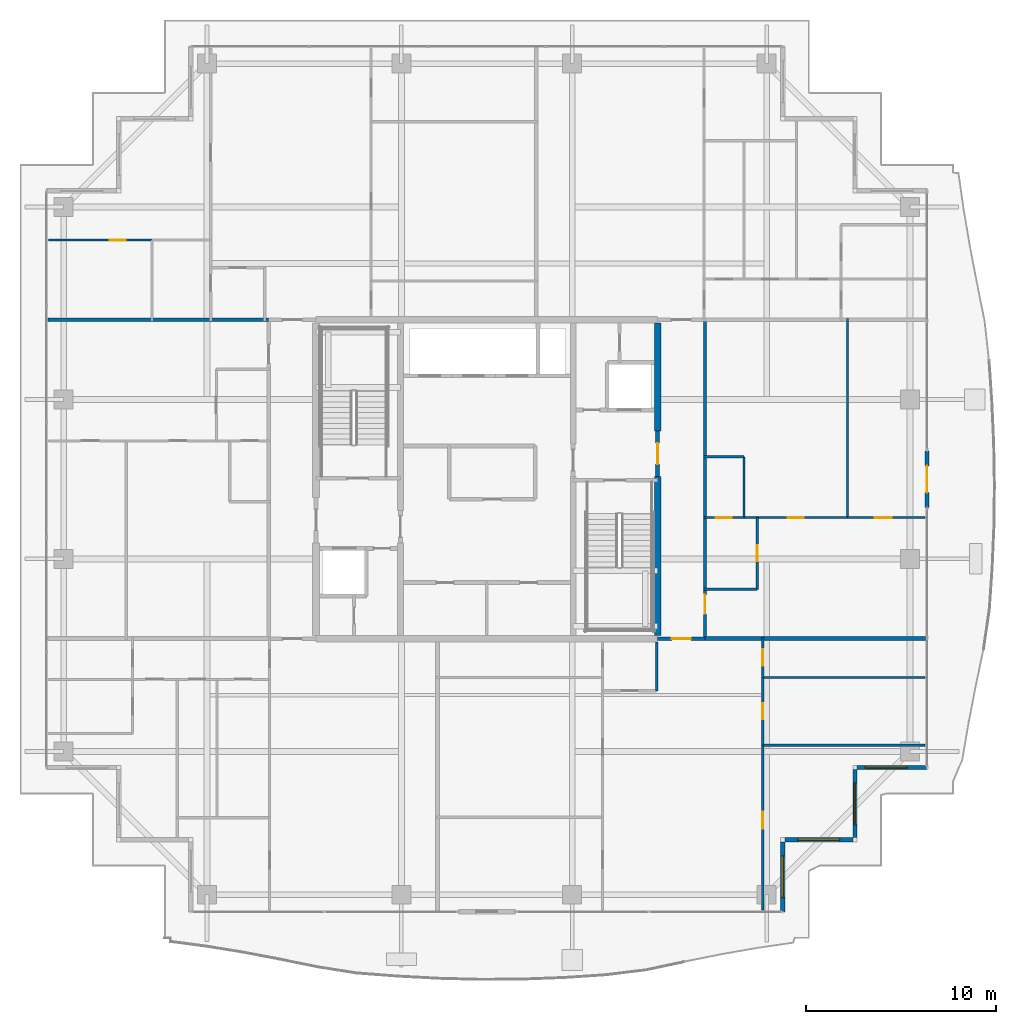
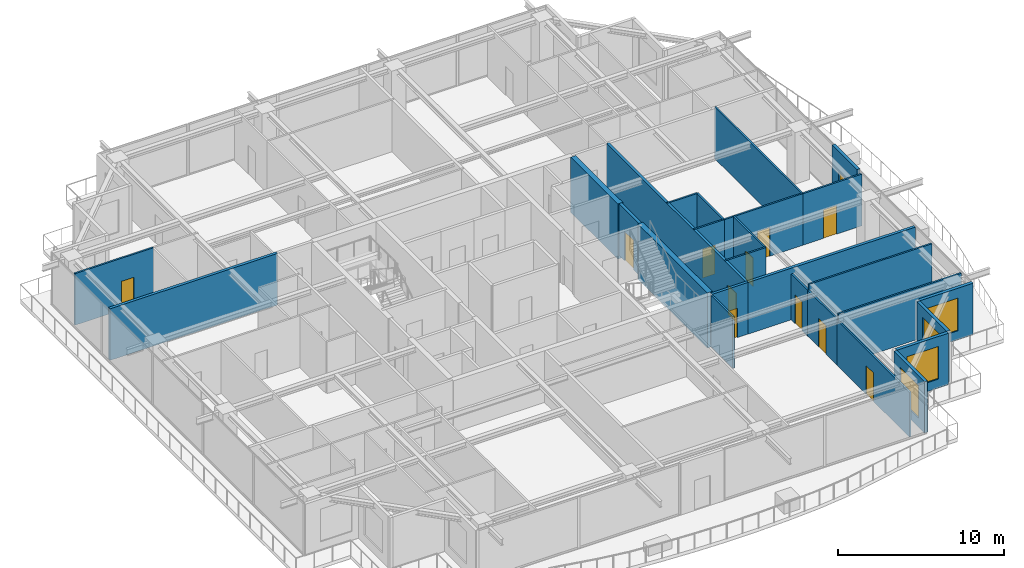
# One storey, part 33 of 42: 27 walls, 12 doors, 4 windows, 16 openings.
"""IFC4 building model written with IfcOpenShell, lengths in metres."""

from ifc_helpers import new_model, si_unit, direction, frame, frame_2d, origin, place, context, subcontext, project, spatial, rectangle, extrude, source, transform, mapped, material, layer, layer_set, type_object, element, fill, save


model = new_model("IFC4")

# Units and contexts
model_context = context("Model", 3, precision=1e-05, world=origin(), true_north=direction((0.0, 1.0)))
body_context = subcontext(model_context, "Body", "Model", "MODEL_VIEW")
ifc_project = project(units=[si_unit("LENGTHUNIT", "METRE"), si_unit("AREAUNIT", "SQUARE_METRE"), si_unit("VOLUMEUNIT", "CUBIC_METRE"), si_unit("PLANEANGLEUNIT", "RADIAN"), si_unit("MASSUNIT", "GRAM", prefix="KILO")], contexts=[model_context])

# Site, building, storey
site_placement = place(None, origin())
site = spatial("IfcSite", under=ifc_project, at=site_placement, CompositionType="ELEMENT")
building_placement = place(site_placement, origin())
building = spatial("IfcBuilding", under=site, at=building_placement, Name="Serunith Strait Residences", CompositionType="ELEMENT")
storey_placement = place(building_placement, frame((0.0, 0.0, 297.5)))
storey = spatial("IfcBuildingStorey", under=building, at=storey_placement, Name="L74", CompositionType="ELEMENT", Elevation=297.5)

# Wall, opening, window
ifc_material_1 = material(Name="Pale-Champagne Aluminium Insulated Panel", Category="aluminium")
ifc_layer_1 = layer(ifc_material_1, 0.219970703125, Name="Pale-Champagne Aluminium Insulated Panel")
ifc_layer_set_1 = layer_set([ifc_layer_1], Name="Pale-Champagne Aluminium Insulated Panel")
wall_type_1 = type_object("IfcWallType", Name="EW-ALUM-220", PredefinedType="ELEMENTEDWALL", material=ifc_layer_set_1)
wall_1_placement = place(storey_placement, frame((48.0, 2.39990234375, 0.0), z_axis=(0.0, 0.0, 1.0), x_axis=(0.0, 1.0, 0.0)))
wall_1 = element("IfcWall", 1, at=wall_1_placement, inside=storey, type_object=wall_type_1, Name="L74 Girih Serrated Corner Wall 02", PredefinedType="ELEMENTEDWALL", context=body_context, shape_type="SweptSolid", body=[
    extrude(rectangle(XDim=3.690185546875, YDim=0.219970703125, at=frame_2d((1.84521484375, 0.0))), origin(), (0.0, 0.0, 1.0), 3.77490234375),
])
opening_1_placement = place(wall_1_placement, frame((0.7451171875, 0.0, 0.64990234375)))
opening_1 = element("IfcOpeningElement", 2, at=opening_1_placement, cuts=wall_1, Name="Opening W-06", PredefinedType="OPENING", context=body_context, shape_type="SweptSolid", body=[
    extrude(rectangle(XDim=2.199951171875, YDim=2.39990234375, at=frame_2d((1.10009765625, 1.199951171875))), frame((0.0, 0.1201171875, 0.0), z_axis=(0.0, -1.0, 0.0), x_axis=(1.0, 0.0, 0.0)), (0.0, 0.0, 1.0), 0.239990234375),
])
ifc_material_2 = material(Name="Crown Penthouse Low-E Operable Window Glass", Category="glass")
window_type = type_object("IfcWindowType", Name="WIN-C6", PartitioningType="TRIPLE_PANEL_VERTICAL", PredefinedType="WINDOW", material=ifc_material_2)
shared_shape_1 = source(origin(), body_context, "Body", "SweptSolid", [
    extrude(rectangle(XDim=2.199951171875, YDim=2.39990234375, at=frame_2d((1.10009765625, 1.199951171875))), frame((0.0, 0.030029296875, 0.0), z_axis=(0.0, -1.0, 0.0), x_axis=(1.0, 0.0, 0.0)), (0.0, 0.0, 1.0), 0.06005859375),
])
window_1_placement = place(opening_1_placement, origin())
window_1 = element("IfcWindow", 3, at=window_1_placement, inside=storey, type_object=window_type, Name="L74 Corner Operable Fritted Window 02", OverallHeight=2.39990234375, OverallWidth=2.199951171875, PartitioningType="SINGLE_PANEL", PredefinedType="WINDOW", context=body_context, shape_type="MappedRepresentation", body=[
    mapped(shared_shape_1, transform((0.0, 0.0, 0.0), scale=1.0)),
])
fill(opening_1, window_1)

wall_2_placement = place(storey_placement, frame((48.110107421875, 6.199951171875, 0.0), z_axis=(0.0, 0.0, 1.0), x_axis=(1.0, 0.0, 0.0)))
wall_2 = element("IfcWall", 4, at=wall_2_placement, inside=storey, type_object=wall_type_1, Name="L74 Girih Serrated Corner Wall 03", PredefinedType="ELEMENTEDWALL", context=body_context, shape_type="SweptSolid", body=[
    extrude(rectangle(XDim=3.579833984375, YDim=0.219970703125, at=frame_2d((1.7900390625, 0.0))), origin(), (0.0, 0.0, 1.0), 3.77490234375),
])
opening_2_placement = place(wall_2_placement, frame((0.68994140625, 0.0, 0.64990234375)))
opening_2 = element("IfcOpeningElement", 5, at=opening_2_placement, cuts=wall_2, Name="Opening W-06", PredefinedType="OPENING", context=body_context, shape_type="SweptSolid", body=[
    extrude(rectangle(XDim=2.199951171875, YDim=2.39990234375, at=frame_2d((1.10009765625, 1.199951171875))), frame((0.0, 0.1201171875, 0.0), z_axis=(0.0, -1.0, 0.0), x_axis=(1.0, 0.0, 0.0)), (0.0, 0.0, 1.0), 0.239990234375),
])
window_2_placement = place(opening_2_placement, origin())
window_2 = element("IfcWindow", 6, at=window_2_placement, inside=storey, type_object=window_type, Name="L74 Corner Operable Fritted Window 03", OverallHeight=2.39990234375, OverallWidth=2.199951171875, PartitioningType="SINGLE_PANEL", PredefinedType="WINDOW", context=body_context, shape_type="MappedRepresentation", body=[
    mapped(shared_shape_1, transform((0.0, 0.0, 0.0), scale=1.0)),
])
fill(opening_2, window_2)

wall_3_placement = place(storey_placement, frame((51.800048828125, 6.31005859375, 0.0), z_axis=(0.0, 0.0, 1.0), x_axis=(0.0, 1.0, 0.0)))
wall_3 = element("IfcWall", 7, at=wall_3_placement, inside=storey, type_object=wall_type_1, Name="L74 Girih Serrated Corner Wall 04", PredefinedType="ELEMENTEDWALL", context=body_context, shape_type="SweptSolid", body=[
    extrude(rectangle(XDim=3.579833984375, YDim=0.219970703125, at=frame_2d((1.7900390625, 0.0))), origin(), (0.0, 0.0, 1.0), 3.77490234375),
])
opening_3_placement = place(wall_3_placement, frame((0.68994140625, 0.0, 0.64990234375)))
opening_3 = element("IfcOpeningElement", 8, at=opening_3_placement, cuts=wall_3, Name="Opening W-06", PredefinedType="OPENING", context=body_context, shape_type="SweptSolid", body=[
    extrude(rectangle(XDim=2.199951171875, YDim=2.39990234375, at=frame_2d((1.10009765625, 1.199951171875))), frame((0.0, 0.1201171875, 0.0), z_axis=(0.0, -1.0, 0.0), x_axis=(1.0, 0.0, 0.0)), (0.0, 0.0, 1.0), 0.239990234375),
])
window_3_placement = place(opening_3_placement, origin())
window_3 = element("IfcWindow", 9, at=window_3_placement, inside=storey, type_object=window_type, Name="L74 Corner Operable Fritted Window 04", OverallHeight=2.39990234375, OverallWidth=2.199951171875, PartitioningType="SINGLE_PANEL", PredefinedType="WINDOW", context=body_context, shape_type="MappedRepresentation", body=[
    mapped(shared_shape_1, transform((0.0, 0.0, 0.0), scale=1.0)),
])
fill(opening_3, window_3)

wall_4_placement = place(storey_placement, frame((51.909912109375, 10.0, 0.0), z_axis=(0.0, 0.0, 1.0), x_axis=(1.0, 0.0, 0.0)))
wall_4 = element("IfcWall", 10, at=wall_4_placement, inside=storey, type_object=wall_type_1, Name="L74 Girih Serrated Corner Wall 05", PredefinedType="ELEMENTEDWALL", context=body_context, shape_type="SweptSolid", body=[
    extrude(rectangle(XDim=3.690185546875, YDim=0.219970703125, at=frame_2d((1.84521484375, 0.0))), origin(), (0.0, 0.0, 1.0), 3.77490234375),
])
opening_4_placement = place(wall_4_placement, frame((0.447021484375, 0.0, 0.64990234375)))
opening_4 = element("IfcOpeningElement", 11, at=opening_4_placement, cuts=wall_4, Name="Opening W-06", PredefinedType="OPENING", context=body_context, shape_type="SweptSolid", body=[
    extrude(rectangle(XDim=2.199951171875, YDim=2.39990234375, at=frame_2d((1.10009765625, 1.199951171875))), frame((0.0, 0.1201171875, 0.0), z_axis=(0.0, -1.0, 0.0), x_axis=(1.0, 0.0, 0.0)), (0.0, 0.0, 1.0), 0.239990234375),
])
window_4_placement = place(opening_4_placement, origin())
window_4 = element("IfcWindow", 12, at=window_4_placement, inside=storey, type_object=window_type, Name="L74 Corner Operable Fritted Window 05", OverallHeight=2.39990234375, OverallWidth=2.199951171875, PartitioningType="SINGLE_PANEL", PredefinedType="WINDOW", context=body_context, shape_type="MappedRepresentation", body=[
    mapped(shared_shape_1, transform((0.0, 0.0, 0.0), scale=1.0)),
])
fill(opening_4, window_4)

# Wall, opening, door
wall_5_placement = place(storey_placement, frame((55.60009765625, 23.699951171875, 0.0), z_axis=(0.0, 0.0, 1.0), x_axis=(0.0, 1.0, 0.0)))
wall_5 = element("IfcWall", 13, at=wall_5_placement, inside=storey, type_object=wall_type_1, Name="L74 E Facade Pier Wall", PredefinedType="ELEMENTEDWALL", context=body_context, shape_type="SweptSolid", body=[
    extrude(rectangle(XDim=3.0, YDim=0.219970703125, at=frame_2d((1.5, 0.0))), origin(), (0.0, 0.0, 1.0), 3.77490234375),
])
opening_5_placement = place(wall_5_placement, frame((0.800048828125, 0.0, 0.0)))
opening_5 = element("IfcOpeningElement", 14, at=opening_5_placement, cuts=wall_5, Name="Opening ED-04", PredefinedType="OPENING", context=body_context, shape_type="SweptSolid", body=[
    extrude(rectangle(XDim=1.39990234375, YDim=2.25, at=frame_2d((0.699951171875, 1.125))), frame((0.0, 0.1201171875, 0.0), z_axis=(0.0, -1.0, 0.0), x_axis=(1.0, 0.0, 0.0)), (0.0, 0.0, 1.0), 0.239990234375),
])
ifc_material_3 = material(Name="Thermally-Broken Aluminium Sliding Balcony Door", Category="aluminium")
door_type_1 = type_object("IfcDoorType", Name="ED-BALC-1400", OperationType="NOTDEFINED", PredefinedType="DOOR", material=ifc_material_3)
shared_shape_2 = source(origin(), body_context, "Body", "SweptSolid", [
    extrude(rectangle(XDim=1.39990234375, YDim=2.25, at=frame_2d((0.699951171875, 1.125))), frame((0.0, 0.02490234375, 0.0), z_axis=(0.0, -1.0, 0.0), x_axis=(1.0, 0.0, 0.0)), (0.0, 0.0, 1.0), 0.050048828125),
])
door_1_placement = place(opening_5_placement, origin())
door_1 = element("IfcDoor", 15, at=door_1_placement, inside=storey, type_object=door_type_1, Name="L74 E Vertical-Forest Balcony Door", OperationType="SLIDING_TO_LEFT", OverallHeight=2.25, OverallWidth=1.39990234375, PredefinedType="DOOR", context=body_context, shape_type="MappedRepresentation", body=[
    mapped(shared_shape_2, transform((0.0, 0.0, 0.0), scale=1.0)),
])
fill(opening_5, door_1)

ifc_material_4 = material(Name="Fire-rated acoustic gypsum partition")
ifc_layer_2 = layer(ifc_material_4, 0.179931640625, Name="Fire-rated acoustic gypsum partition")
ifc_layer_set_2 = layer_set([ifc_layer_2], Name="Fire-rated acoustic gypsum partition")
wall_type_2 = type_object("IfcWallType", Name="IW-CORR-180", PredefinedType="PARTITIONING", material=ifc_layer_set_2)
wall_6_placement = place(storey_placement, frame((41.402099609375, 16.800048828125, 0.0), z_axis=(0.0, 0.0, 1.0), x_axis=(1.0, 0.0, 0.0)))
wall_6 = element("IfcWall", 16, at=wall_6_placement, inside=storey, type_object=wall_type_2, Name="L74 Partition Wall 029", PredefinedType="PARTITIONING", context=body_context, shape_type="SweptSolid", body=[
    extrude(rectangle(XDim=2.495849609375, YDim=0.179931640625, at=frame_2d((1.248046875, 0.0))), origin(), (0.0, 0.0, 1.0), 3.7900390625),
])
opening_6_placement = place(wall_6_placement, frame((0.748046875, 0.0, 0.0)))
opening_6 = element("IfcOpeningElement", 17, at=opening_6_placement, cuts=wall_6, Name="Opening D-APT1000", PredefinedType="OPENING", context=body_context, shape_type="SweptSolid", body=[
    extrude(rectangle(XDim=1.0, YDim=2.14990234375, at=frame_2d((0.5, 1.074951171875))), frame((0.0, 0.10009765625, 0.0), z_axis=(0.0, -1.0, 0.0), x_axis=(1.0, 0.0, 0.0)), (0.0, 0.0, 1.0), 0.199951171875),
])
ifc_material_5 = material(Name="Solid timber engineered fire door", Category="wood")
door_type_2 = type_object("IfcDoorType", Name="ID-APT-1000", OperationType="NOTDEFINED", PredefinedType="DOOR", material=ifc_material_5)
shared_shape_3 = source(origin(), body_context, "Body", "SweptSolid", [
    extrude(rectangle(XDim=1.0, YDim=2.14990234375, at=frame_2d((0.5, 1.074951171875))), frame((0.0, 0.02490234375, 0.0), z_axis=(0.0, -1.0, 0.0), x_axis=(1.0, 0.0, 0.0)), (0.0, 0.0, 1.0), 0.050048828125),
])
door_2_placement = place(opening_6_placement, origin())
door_2 = element("IfcDoor", 18, at=door_2_placement, inside=storey, type_object=door_type_2, Name="L74 Unit 02 Entrance Door", OperationType="SINGLE_SWING_LEFT", OverallHeight=2.14990234375, OverallWidth=1.0, PredefinedType="DOOR", context=body_context, shape_type="MappedRepresentation", body=[
    mapped(shared_shape_3, transform((0.0, 0.0, 0.0), scale=1.0)),
])
fill(opening_6, door_2)

wall_7_placement = place(storey_placement, frame((43.89990234375, 16.800048828125, 0.0), z_axis=(0.0, 0.0, 1.0), x_axis=(0.0, 1.0, 0.0)))
wall_7 = element("IfcWall", 19, at=wall_7_placement, inside=storey, type_object=wall_type_2, Name="L74 Partition Wall 031", PredefinedType="PARTITIONING", context=body_context, shape_type="SweptSolid", body=[
    extrude(rectangle(XDim=16.800048828125, YDim=0.179931640625, at=frame_2d((8.39990234375, 0.0))), origin(), (0.0, 0.0, 1.0), 3.7900390625),
])
opening_7_placement = place(wall_7_placement, frame((1.300048828125, 0.0, 0.0)))
opening_7 = element("IfcOpeningElement", 20, at=opening_7_placement, cuts=wall_7, Name="Opening D-APT1000", PredefinedType="OPENING", context=body_context, shape_type="SweptSolid", body=[
    extrude(rectangle(XDim=1.0, YDim=2.14990234375, at=frame_2d((0.5, 1.074951171875))), frame((0.0, 0.10009765625, 0.0), z_axis=(0.0, -1.0, 0.0), x_axis=(1.0, 0.0, 0.0)), (0.0, 0.0, 1.0), 0.199951171875),
])
door_3_placement = place(opening_7_placement, origin())
door_3 = element("IfcDoor", 21, at=door_3_placement, inside=storey, type_object=door_type_2, Name="L74 Unit 06 Entrance Door", OperationType="SINGLE_SWING_LEFT", OverallHeight=2.14990234375, OverallWidth=1.0, PredefinedType="DOOR", context=body_context, shape_type="MappedRepresentation", body=[
    mapped(shared_shape_3, transform((0.0, 0.0, 0.0), scale=1.0)),
])
fill(opening_7, door_3)

# Wall
ifc_material_6 = material(Name="Lightweight steel-stud gypsum partition", Category="steel")
ifc_layer_3 = layer(ifc_material_6, 0.1201171875, Name="Lightweight steel-stud gypsum partition")
ifc_layer_set_3 = layer_set([ifc_layer_3], Name="Lightweight steel-stud gypsum partition")
wall_type_3 = type_object("IfcWallType", Name="IW-PART-120", PredefinedType="PARTITIONING", material=ifc_layer_set_3)
wall_8_placement = place(storey_placement, frame((41.35009765625, 14.050048828125, 0.0), z_axis=(0.0, 0.0, 1.0), x_axis=(0.0, 1.0, 0.0)))
element("IfcWall", 22, at=wall_8_placement, inside=storey, type_object=wall_type_3, Name="L74 Partition Wall 046", PredefinedType="PARTITIONING", context=body_context, shape_type="SweptSolid", body=[
    extrude(rectangle(XDim=2.574951171875, YDim=0.1201171875, at=frame_2d((1.28759765625, 0.0))), origin(), (0.0, 0.0, 1.0), 3.7900390625),
])

# Wall, opening, door
wall_9_placement = place(storey_placement, frame((46.949951171875, 2.4951171875, 0.0), z_axis=(0.0, 0.0, 1.0), x_axis=(0.0, 1.0, 0.0)))
wall_9 = element("IfcWall", 23, at=wall_9_placement, inside=storey, type_object=wall_type_3, Name="L74 Partition Wall 052", PredefinedType="PARTITIONING", context=body_context, shape_type="SweptSolid", body=[
    extrude(rectangle(XDim=8.68798828125, YDim=0.1201171875, at=frame_2d((4.343994140625, 0.0))), origin(), (0.0, 0.0, 1.0), 3.2919921875),
])
opening_8_placement = place(wall_9_placement, frame((4.282958984375, 0.0, 0.0)))
opening_8 = element("IfcOpeningElement", 24, at=opening_8_placement, cuts=wall_9, Name="Opening D-RM900", PredefinedType="OPENING", context=body_context, shape_type="SweptSolid", body=[
    extrude(rectangle(XDim=0.89990234375, YDim=2.10009765625, at=frame_2d((0.449951171875, 1.050048828125))), frame((0.0, 0.070068359375, 0.0), z_axis=(0.0, -1.0, 0.0), x_axis=(1.0, 0.0, 0.0)), (0.0, 0.0, 1.0), 0.14013671875),
])
ifc_material_7 = material(Name="Engineered timber flush bedroom door", Category="wood")
door_type_3 = type_object("IfcDoorType", Name="ID-ROOM-900", OperationType="NOTDEFINED", PredefinedType="DOOR", material=ifc_material_7)
shared_shape_4 = source(origin(), body_context, "Body", "SweptSolid", [
    extrude(rectangle(XDim=0.89990234375, YDim=2.10009765625, at=frame_2d((0.449951171875, 1.050048828125))), frame((0.0, 0.02490234375, 0.0), z_axis=(0.0, -1.0, 0.0), x_axis=(1.0, 0.0, 0.0)), (0.0, 0.0, 1.0), 0.050048828125),
])
door_4_placement = place(opening_8_placement, origin())
door_4 = element("IfcDoor", 25, at=door_4_placement, inside=storey, type_object=door_type_3, Name="L74 Bedroom 2 7402 Door", OperationType="SINGLE_SWING_LEFT", OverallHeight=2.10009765625, OverallWidth=0.89990234375, PredefinedType="DOOR", context=body_context, shape_type="MappedRepresentation", body=[
    mapped(shared_shape_4, transform((0.0, 0.0, 0.0), scale=1.0)),
])
fill(opening_8, door_4)

# Walls
for number, where, z_axis, x_axis, name in (
    (26, (46.949951171875, 11.18310546875, 0.0), (0.0, 0.0, 1.0), (1.0, 0.0, 0.0), "L74 Partition Wall 053"),
    (27, (46.949951171875, 14.75, 0.0), (0.0, 0.0, 1.0), (1.0, 0.0, 0.0), "L74 Partition Wall 054"),
):
    element("IfcWall", number, at=place(storey_placement, frame(where, z_axis=z_axis, x_axis=x_axis)), inside=storey, type_object=wall_type_3, Name=name, PredefinedType="PARTITIONING", context=body_context, shape_type="SweptSolid", body=[
        extrude(rectangle(XDim=8.554931640625, YDim=0.1201171875, at=frame_2d((4.27734375, 0.0))), origin(), (0.0, 0.0, 1.0), 3.7900390625),
    ])

# Wall, opening, door
wall_10_placement = place(storey_placement, frame((46.949951171875, 11.18505859375, 0.0), z_axis=(0.0, 0.0, 1.0), x_axis=(0.0, 1.0, 0.0)))
wall_10 = element("IfcWall", 28, at=wall_10_placement, inside=storey, type_object=wall_type_3, Name="L74 Partition Wall 055", PredefinedType="PARTITIONING", context=body_context, shape_type="SweptSolid", body=[
    extrude(rectangle(XDim=3.56494140625, YDim=0.1201171875, at=frame_2d((1.782470703125, 0.0))), origin(), (0.0, 0.0, 1.0), 3.3720703125),
])
opening_9_placement = place(wall_10_placement, frame((1.35693359375, 0.0, 0.0)))
opening_9 = element("IfcOpeningElement", 29, at=opening_9_placement, cuts=wall_10, Name="Opening D-RM850", PredefinedType="OPENING", context=body_context, shape_type="SweptSolid", body=[
    extrude(rectangle(XDim=0.85009765625, YDim=2.10009765625, at=frame_2d((0.425048828125, 1.050048828125))), frame((0.0, 0.070068359375, 0.0), z_axis=(0.0, -1.0, 0.0), x_axis=(1.0, 0.0, 0.0)), (0.0, 0.0, 1.0), 0.14013671875),
])
ifc_material_8 = material(Name="Engineered timber flush study and kitchen door", Category="wood")
door_type_4 = type_object("IfcDoorType", Name="ID-ROOM-850", OperationType="NOTDEFINED", PredefinedType="DOOR", material=ifc_material_8)
shared_shape_5 = source(origin(), body_context, "Body", "SweptSolid", [
    extrude(rectangle(XDim=0.85009765625, YDim=2.10009765625, at=frame_2d((0.425048828125, 1.050048828125))), frame((0.0, 0.02490234375, 0.0), z_axis=(0.0, -1.0, 0.0), x_axis=(1.0, 0.0, 0.0)), (0.0, 0.0, 1.0), 0.050048828125),
])
door_5_placement = place(opening_9_placement, origin())
door_5 = element("IfcDoor", 30, at=door_5_placement, inside=storey, type_object=door_type_4, Name="L74 Walk-in Wardrobe 7402 Door", OperationType="SINGLE_SWING_RIGHT", OverallHeight=2.10009765625, OverallWidth=0.85009765625, PredefinedType="DOOR", context=body_context, shape_type="MappedRepresentation", body=[
    mapped(shared_shape_5, transform((0.0, 0.0, 0.0), scale=1.0)),
])
fill(opening_9, door_5)

wall_11_placement = place(storey_placement, frame((46.949951171875, 14.751953125, 0.0), z_axis=(0.0, 0.0, 1.0), x_axis=(0.0, 1.0, 0.0)))
wall_11 = element("IfcWall", 31, at=wall_11_placement, inside=storey, type_object=wall_type_3, Name="L74 Partition Wall 056", PredefinedType="PARTITIONING", context=body_context, shape_type="SweptSolid", body=[
    extrude(rectangle(XDim=2.108154296875, YDim=0.1201171875, at=frame_2d((1.05419921875, 0.0))), origin(), (0.0, 0.0, 1.0), 3.3720703125),
])
opening_10_placement = place(wall_11_placement, frame((0.62890625, 0.0, 0.0)))
opening_10 = element("IfcOpeningElement", 32, at=opening_10_placement, cuts=wall_11, Name="Opening D-BTH850", PredefinedType="OPENING", context=body_context, shape_type="SweptSolid", body=[
    extrude(rectangle(XDim=0.85009765625, YDim=2.10009765625, at=frame_2d((0.425048828125, 1.050048828125))), frame((0.0, 0.070068359375, 0.0), z_axis=(0.0, -1.0, 0.0), x_axis=(1.0, 0.0, 0.0)), (0.0, 0.0, 1.0), 0.14013671875),
])
ifc_material_9 = material(Name="Moisture-resistant timber bathroom door", Category="wood")
door_type_5 = type_object("IfcDoorType", Name="ID-BATH-850", OperationType="NOTDEFINED", PredefinedType="DOOR", material=ifc_material_9)
door_6_placement = place(opening_10_placement, origin())
door_6 = element("IfcDoor", 33, at=door_6_placement, inside=storey, type_object=door_type_5, Name="L74 Bathroom 7402 Door", OperationType="SINGLE_SWING_LEFT", OverallHeight=2.10009765625, OverallWidth=0.85009765625, PredefinedType="DOOR", context=body_context, shape_type="MappedRepresentation", body=[
    mapped(shared_shape_5, transform((0.0, 0.0, 0.0), scale=1.0)),
])
fill(opening_10, door_6)

wall_12_placement = place(storey_placement, frame((9.294921875, 37.806884765625, 0.0), z_axis=(0.0, 0.0, 1.0), x_axis=(1.0, 0.0, 0.0)))
wall_12 = element("IfcWall", 34, at=wall_12_placement, inside=storey, type_object=wall_type_3, Name="L74 Partition Wall 060", PredefinedType="PARTITIONING", context=body_context, shape_type="SweptSolid", body=[
    extrude(rectangle(XDim=5.455078125, YDim=0.1201171875, at=frame_2d((2.7275390625, 0.0))), origin(), (0.0, 0.0, 1.0), 3.7900390625),
])
opening_11_placement = place(wall_12_placement, frame((3.22412109375, 0.0, 0.0)))
opening_11 = element("IfcOpeningElement", 35, at=opening_11_placement, cuts=wall_12, Name="Opening D-RM850", PredefinedType="OPENING", context=body_context, shape_type="SweptSolid", body=[
    extrude(rectangle(XDim=0.85009765625, YDim=2.10009765625, at=frame_2d((0.425048828125, 1.050048828125))), frame((0.0, 0.070068359375, 0.0), z_axis=(0.0, -1.0, 0.0), x_axis=(1.0, 0.0, 0.0)), (0.0, 0.0, 1.0), 0.14013671875),
])
door_7_placement = place(opening_11_placement, origin())
door_7 = element("IfcDoor", 36, at=door_7_placement, inside=storey, type_object=door_type_4, Name="L74 Wardrobe 7403 Door", OperationType="SINGLE_SWING_RIGHT", OverallHeight=2.10009765625, OverallWidth=0.85009765625, PredefinedType="DOOR", context=body_context, shape_type="MappedRepresentation", body=[
    mapped(shared_shape_5, transform((0.0, 0.0, 0.0), scale=1.0)),
])
fill(opening_11, door_7)

wall_13_placement = place(storey_placement, frame((46.64990234375, 19.39990234375, 0.0), z_axis=(0.0, 0.0, 1.0), x_axis=(0.0, 1.0, 0.0)))
wall_13 = element("IfcWall", 37, at=wall_13_placement, inside=storey, type_object=wall_type_3, Name="L74 Partition Wall 090", PredefinedType="PARTITIONING", context=body_context, shape_type="SweptSolid", body=[
    extrude(rectangle(XDim=3.780029296875, YDim=0.1201171875, at=frame_2d((1.89013671875, 0.0))), origin(), (0.0, 0.0, 1.0), 3.7900390625),
])
opening_12_placement = place(wall_13_placement, frame((1.465087890625, 0.0, 0.0)))
opening_12 = element("IfcOpeningElement", 38, at=opening_12_placement, cuts=wall_13, Name="Opening D-RM850", PredefinedType="OPENING", context=body_context, shape_type="SweptSolid", body=[
    extrude(rectangle(XDim=0.85009765625, YDim=2.10009765625, at=frame_2d((0.425048828125, 1.050048828125))), frame((0.0, 0.070068359375, 0.0), z_axis=(0.0, -1.0, 0.0), x_axis=(1.0, 0.0, 0.0)), (0.0, 0.0, 1.0), 0.14013671875),
])
door_8_placement = place(opening_12_placement, origin())
door_8 = element("IfcDoor", 39, at=door_8_placement, inside=storey, type_object=door_type_4, Name="L74 Kitchen 7406 Door", OperationType="SINGLE_SWING_RIGHT", OverallHeight=2.10009765625, OverallWidth=0.85009765625, PredefinedType="DOOR", context=body_context, shape_type="MappedRepresentation", body=[
    mapped(shared_shape_5, transform((0.0, 0.0, 0.0), scale=1.0)),
])
fill(opening_12, door_8)

# Wall
wall_14_placement = place(storey_placement, frame((46.64990234375, 19.39990234375, 0.0), z_axis=(0.0, 0.0, 1.0), x_axis=(-1.0, 0.0, 0.0)))
element("IfcWall", 40, at=wall_14_placement, inside=storey, type_object=wall_type_3, Name="L74 Partition Wall 091", PredefinedType="PARTITIONING", context=body_context, shape_type="SweptSolid", body=[
    extrude(rectangle(XDim=2.809814453125, YDim=0.1201171875, at=frame_2d((1.40478515625, 0.0))), origin(), (0.0, 0.0, 1.0), 3.7900390625),
])

# Wall, opening, door
wall_15_placement = place(storey_placement, frame((55.5048828125, 23.179931640625, 0.0), z_axis=(0.0, 0.0, 1.0), x_axis=(-1.0, 0.0, 0.0)))
wall_15 = element("IfcWall", 41, at=wall_15_placement, inside=storey, type_object=wall_type_3, Name="L74 Partition Wall 092", PredefinedType="PARTITIONING", context=body_context, shape_type="SweptSolid", body=[
    extrude(rectangle(XDim=4.093994140625, YDim=0.1201171875, at=frame_2d((2.046875, 0.0))), origin(), (0.0, 0.0, 1.0), 3.7900390625),
])
opening_13_placement = place(wall_15_placement, frame((1.757080078125, 0.0, 0.0)))
opening_13 = element("IfcOpeningElement", 42, at=opening_13_placement, cuts=wall_15, Name="Opening D-RM900", PredefinedType="OPENING", context=body_context, shape_type="SweptSolid", body=[
    extrude(rectangle(XDim=0.89990234375, YDim=2.10009765625, at=frame_2d((0.449951171875, 1.050048828125))), frame((0.0, 0.070068359375, 0.0), z_axis=(0.0, -1.0, 0.0), x_axis=(1.0, 0.0, 0.0)), (0.0, 0.0, 1.0), 0.14013671875),
])
door_9_placement = place(opening_13_placement, origin())
door_9 = element("IfcDoor", 43, at=door_9_placement, inside=storey, type_object=door_type_3, Name="L74 Master Bedroom 1 7406 Door", OperationType="SINGLE_SWING_LEFT", OverallHeight=2.10009765625, OverallWidth=0.89990234375, PredefinedType="DOOR", context=body_context, shape_type="MappedRepresentation", body=[
    mapped(shared_shape_4, transform((0.0, 0.0, 0.0), scale=1.0)),
])
fill(opening_13, door_9)

# Walls
wall_16_placement = place(storey_placement, frame((51.410888671875, 23.179931640625, 0.0), z_axis=(0.0, 0.0, 1.0), x_axis=(0.0, 1.0, 0.0)))
element("IfcWall", 44, at=wall_16_placement, inside=storey, type_object=wall_type_3, Name="L74 Partition Wall 093", PredefinedType="PARTITIONING", context=body_context, shape_type="SweptSolid", body=[
    extrude(rectangle(XDim=10.47998046875, YDim=0.1201171875, at=frame_2d((5.239990234375, 0.0))), origin(), (0.0, 0.0, 1.0), 3.7900390625),
])
wall_17_placement = place(storey_placement, frame((45.949951171875, 23.179931640625, 0.0), z_axis=(0.0, 0.0, 1.0), x_axis=(0.0, 1.0, 0.0)))
element("IfcWall", 45, at=wall_17_placement, inside=storey, type_object=wall_type_3, Name="L74 Partition Wall 094", PredefinedType="PARTITIONING", context=body_context, shape_type="SweptSolid", body=[
    extrude(rectangle(XDim=3.199951171875, YDim=0.1201171875, at=frame_2d((1.60009765625, 0.0))), origin(), (0.0, 0.0, 1.0), 3.7900390625),
])
wall_18_placement = place(storey_placement, frame((45.949951171875, 26.3798828125, 0.0), z_axis=(0.0, 0.0, 1.0), x_axis=(-1.0, 0.0, 0.0)))
element("IfcWall", 46, at=wall_18_placement, inside=storey, type_object=wall_type_3, Name="L74 Partition Wall 095", PredefinedType="PARTITIONING", context=body_context, shape_type="SweptSolid", body=[
    extrude(rectangle(XDim=2.10986328125, YDim=0.1201171875, at=frame_2d((1.054931640625, 0.0))), origin(), (0.0, 0.0, 1.0), 3.7900390625),
])

# Wall, opening, door
wall_19_placement = place(storey_placement, frame((51.408935546875, 23.179931640625, 0.0), z_axis=(0.0, 0.0, 1.0), x_axis=(-1.0, 0.0, 0.0)))
wall_19 = element("IfcWall", 47, at=wall_19_placement, inside=storey, type_object=wall_type_3, Name="L74 Partition Wall 096", PredefinedType="PARTITIONING", context=body_context, shape_type="SweptSolid", body=[
    extrude(rectangle(XDim=5.458984375, YDim=0.1201171875, at=frame_2d((2.7294921875, 0.0))), origin(), (0.0, 0.0, 1.0), 3.7900390625),
])
opening_14_placement = place(wall_19_placement, frame((2.303955078125, 0.0, 0.0)))
opening_14 = element("IfcOpeningElement", 48, at=opening_14_placement, cuts=wall_19, Name="Opening D-RM850", PredefinedType="OPENING", context=body_context, shape_type="SweptSolid", body=[
    extrude(rectangle(XDim=0.85009765625, YDim=2.10009765625, at=frame_2d((0.425048828125, 1.050048828125))), frame((0.0, 0.070068359375, 0.0), z_axis=(0.0, -1.0, 0.0), x_axis=(1.0, 0.0, 0.0)), (0.0, 0.0, 1.0), 0.14013671875),
])
door_10_placement = place(opening_14_placement, origin())
door_10 = element("IfcDoor", 49, at=door_10_placement, inside=storey, type_object=door_type_4, Name="L74 Walk-in Wardrobe 7406 Door", OperationType="SINGLE_SWING_RIGHT", OverallHeight=2.10009765625, OverallWidth=0.85009765625, PredefinedType="DOOR", context=body_context, shape_type="MappedRepresentation", body=[
    mapped(shared_shape_5, transform((0.0, 0.0, 0.0), scale=1.0)),
])
fill(opening_14, door_10)

wall_20_placement = place(storey_placement, frame((45.947998046875, 23.179931640625, 0.0), z_axis=(0.0, 0.0, 1.0), x_axis=(-1.0, 0.0, 0.0)))
wall_20 = element("IfcWall", 50, at=wall_20_placement, inside=storey, type_object=wall_type_3, Name="L74 Partition Wall 097", PredefinedType="PARTITIONING", context=body_context, shape_type="SweptSolid", body=[
    extrude(rectangle(XDim=2.10791015625, YDim=0.1201171875, at=frame_2d((1.053955078125, 0.0))), origin(), (0.0, 0.0, 1.0), 3.7900390625),
])
opening_15_placement = place(wall_20_placement, frame((0.62890625, 0.0, 0.0)))
opening_15 = element("IfcOpeningElement", 51, at=opening_15_placement, cuts=wall_20, Name="Opening D-BTH850", PredefinedType="OPENING", context=body_context, shape_type="SweptSolid", body=[
    extrude(rectangle(XDim=0.85009765625, YDim=2.10009765625, at=frame_2d((0.425048828125, 1.050048828125))), frame((0.0, 0.070068359375, 0.0), z_axis=(0.0, -1.0, 0.0), x_axis=(1.0, 0.0, 0.0)), (0.0, 0.0, 1.0), 0.14013671875),
])
door_11_placement = place(opening_15_placement, origin())
door_11 = element("IfcDoor", 52, at=door_11_placement, inside=storey, type_object=door_type_5, Name="L74 Bathroom 7406 Door", OperationType="SINGLE_SWING_LEFT", OverallHeight=2.10009765625, OverallWidth=0.85009765625, PredefinedType="DOOR", context=body_context, shape_type="MappedRepresentation", body=[
    mapped(shared_shape_5, transform((0.0, 0.0, 0.0), scale=1.0)),
])
fill(opening_15, door_11)

# Walls
ifc_material_10 = material(Name="Twin-stud acoustic gypsum board partition")
ifc_layer_4 = layer(ifc_material_10, 0.199951171875, Name="Twin-stud acoustic gypsum board partition")
ifc_layer_set_4 = layer_set([ifc_layer_4], Name="Twin-stud acoustic gypsum board partition")
wall_type_4 = type_object("IfcWallType", Name="IW-PARTY-200", PredefinedType="PARTITIONING", material=ifc_layer_set_4)
wall_21_placement = place(storey_placement, frame((43.89990234375, 16.800048828125, 0.0), z_axis=(0.0, 0.0, 1.0), x_axis=(1.0, 0.0, 0.0)))
element("IfcWall", 53, at=wall_21_placement, inside=storey, type_object=wall_type_4, Name="L74 Partition Wall 023", PredefinedType="PARTITIONING", context=body_context, shape_type="SweptSolid", body=[
    extrude(rectangle(XDim=11.6181640625, YDim=0.199951171875, at=frame_2d((5.80908203125, 0.0))), origin(), (0.0, 0.0, 1.0), 3.7900390625),
])
wall_22_placement = place(storey_placement, frame((9.281982421875, 33.60009765625, 0.0), z_axis=(0.0, 0.0, 1.0), x_axis=(1.0, 0.0, 0.0)))
element("IfcWall", 54, at=wall_22_placement, inside=storey, type_object=wall_type_4, Name="L74 Partition Wall 024", PredefinedType="PARTITIONING", context=body_context, shape_type="SweptSolid", body=[
    extrude(rectangle(XDim=11.617919921875, YDim=0.199951171875, at=frame_2d((5.80908203125, 0.0))), origin(), (0.0, 0.0, 1.0), 3.7900390625),
])

# Wall, opening, door
ifc_material_11 = material(Name="Autoclaved aerated concrete blockwork", Category="masonry")
ifc_layer_5 = layer(ifc_material_11, 0.199951171875, Name="Autoclaved aerated concrete blockwork")
ifc_layer_set_5 = layer_set([ifc_layer_5], Name="Autoclaved aerated concrete blockwork")
wall_type_5 = type_object("IfcWallType", Name="IW-SHAFT-200", PredefinedType="STANDARD", material=ifc_layer_set_5)
wall_23_placement = place(storey_placement, frame((41.39990234375, 25.35205078125, 0.0), z_axis=(0.0, 0.0, 1.0), x_axis=(0.0, 1.0, 0.0)))
wall_23 = element("IfcWall", 55, at=wall_23_placement, inside=storey, type_object=wall_type_5, Name="L74 Partition Wall 008", PredefinedType="STANDARD", context=body_context, shape_type="SweptSolid", body=[
    extrude(rectangle(XDim=2.39599609375, YDim=0.199951171875, at=frame_2d((1.197998046875, 0.0))), origin(), (0.0, 0.0, 1.0), 3.7900390625),
])
opening_16_placement = place(wall_23_placement, frame((0.64794921875, 0.0, 0.0)))
opening_16 = element("IfcOpeningElement", 56, at=opening_16_placement, cuts=wall_23, Name="Opening FD-FFL", PredefinedType="OPENING", context=body_context, shape_type="SweptSolid", body=[
    extrude(rectangle(XDim=1.10009765625, YDim=2.14990234375, at=frame_2d((0.550048828125, 1.074951171875))), frame((0.0, 0.10986328125, 0.0), z_axis=(0.0, -1.0, 0.0), x_axis=(1.0, 0.0, 0.0)), (0.0, 0.0, 1.0), 0.219970703125),
])
ifc_material_12 = material(Name="Glazed steel smoke-lobby fire door", Category="steel")
door_type_6 = type_object("IfcDoorType", Name="FD-FFL-1100", OperationType="NOTDEFINED", PredefinedType="DOOR", material=ifc_material_12)
shared_shape_6 = source(origin(), body_context, "Body", "SweptSolid", [
    extrude(rectangle(XDim=1.10009765625, YDim=2.14990234375, at=frame_2d((0.550048828125, 1.074951171875))), frame((0.0, 0.02490234375, 0.0), z_axis=(0.0, -1.0, 0.0), x_axis=(1.0, 0.0, 0.0)), (0.0, 0.0, 1.0), 0.050048828125),
])
door_12_placement = place(opening_16_placement, origin())
door_12 = element("IfcDoor", 57, at=door_12_placement, inside=storey, type_object=door_type_6, Name="L74 FFL-2 Corridor Fire Door", OperationType="SINGLE_SWING_RIGHT", OverallHeight=2.14990234375, OverallWidth=1.10009765625, PredefinedType="DOOR", context=body_context, shape_type="MappedRepresentation", body=[
    mapped(shared_shape_6, transform((0.0, 0.0, 0.0), scale=1.0)),
])
fill(opening_16, door_12)

# Walls
ifc_material_13 = material(Name="Concrete C60/75", Category="concrete")
ifc_layer_6 = layer(ifc_material_13, 0.35009765625, Name="Concrete C60/75")
ifc_layer_set_6 = layer_set([ifc_layer_6], Name="Concrete C60/75")
wall_type_6 = type_object("IfcWallType", Name="SW-350-C60", PredefinedType="SHEAR", material=ifc_layer_set_6)
wall_24_placement = place(storey_placement, frame((41.39990234375, 16.97509765625, -0.260009765625), z_axis=(0.0, 0.0, 1.0), x_axis=(0.0, 1.0, 0.0)))
element("IfcWall", 58, at=wall_24_placement, inside=storey, type_object=wall_type_6, Name="L74 Core East Shear Wall South Pier", PredefinedType="SHEAR", context=body_context, shape_type="SweptSolid", body=[
    extrude(rectangle(XDim=8.375, YDim=0.35009765625, at=frame_2d((4.1875, 0.0))), origin(), (0.0, 0.0, 1.0), 4.048095703125),
])
wall_25_placement = place(storey_placement, frame((41.39990234375, 27.75, -0.260009765625), z_axis=(0.0, 0.0, 1.0), x_axis=(0.0, 1.0, 0.0)))
element("IfcWall", 59, at=wall_25_placement, inside=storey, type_object=wall_type_6, Name="L74 Core East Shear Wall North Pier", PredefinedType="SHEAR", context=body_context, shape_type="SweptSolid", body=[
    extrude(rectangle(XDim=5.675048828125, YDim=0.35009765625, at=frame_2d((2.83740234375, 0.0))), origin(), (0.0, 0.0, 1.0), 4.048095703125),
])

save(model, "model.ifc")
